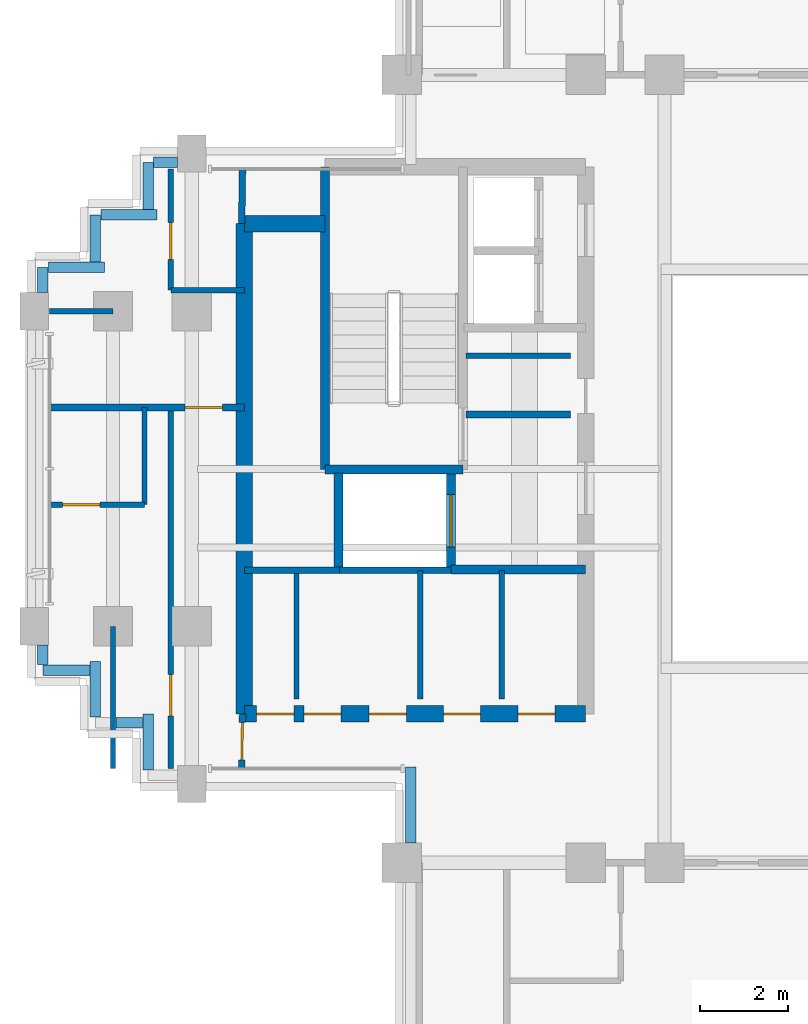
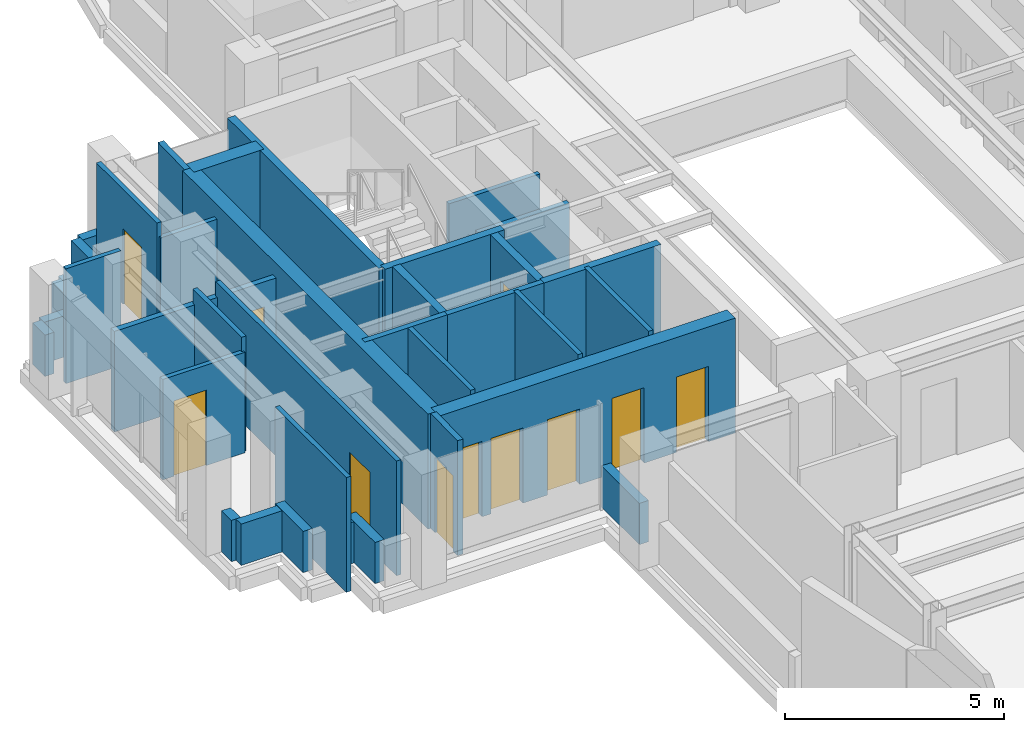
# One storey, part 6 of 12: 37 walls, 11 doors, 11 openings.
"""IFC4 building model written with IfcOpenShell, lengths in metres."""

from ifc_helpers import new_model, si_unit, direction, frame, frame_2d, origin, place, context, subcontext, project, spatial, rectangle, extrude, source, transform, mapped, material, layer, layer_set, type_object, element, fill, save


model = new_model("IFC4")

# Units and contexts
model_context = context("Model", 3, precision=1e-05, world=origin(), true_north=direction((0.0, 1.0)))
body_context = subcontext(model_context, "Body", "Model", "MODEL_VIEW")
ifc_project = project(units=[si_unit("LENGTHUNIT", "METRE"), si_unit("AREAUNIT", "SQUARE_METRE"), si_unit("VOLUMEUNIT", "CUBIC_METRE"), si_unit("PLANEANGLEUNIT", "RADIAN"), si_unit("MASSUNIT", "GRAM", prefix="KILO")], contexts=[model_context])

# Site, building, storey
site_placement = place(None, origin())
site = spatial("IfcSite", under=ifc_project, at=site_placement, CompositionType="ELEMENT")
building_placement = place(site_placement, origin())
building = spatial("IfcBuilding", under=site, at=building_placement, Name="Keilestroom Media Tower", CompositionType="ELEMENT")
storey_placement = place(building_placement, frame((0.0, 0.0, 184.199951171875)))
storey = spatial("IfcBuildingStorey", under=building, at=storey_placement, Name="L50", CompositionType="ELEMENT", Elevation=184.199951171875)

# Walls
ifc_material_1 = material(Name="Gypsum Plasterboard & Steel Stud", Category="steel")
ifc_layer_1 = layer(ifc_material_1, 0.1201171875)
ifc_layer_set_1 = layer_set([ifc_layer_1], Name="Gypsum Plasterboard & Steel Stud")
wall_type_1 = type_object("IfcWallType", Name="Interior-Partition-Wall-120", PredefinedType="PARTITIONING", material=ifc_layer_set_1)
wall_1_placement = place(storey_placement, frame((-8.139892578125, 2.580078125, 0.0), z_axis=(0.0, 0.0, 1.0), x_axis=(1.0, 0.0, 0.0)))
element("IfcWall", 1, at=wall_1_placement, inside=storey, type_object=wall_type_1, Name="L50 Interior Wall WP-L50-CNW-N", PredefinedType="PARTITIONING", context=body_context, shape_type="SweptSolid", body=[
    extrude(rectangle(XDim=2.389892578125, YDim=0.1201171875, at=frame_2d((1.19482421875, 0.0))), origin(), (0.0, 0.0, 1.0), 2.300048828125),
])
for number, where, z_axis, x_axis, name in (
    (2, (-12.010009765625, -5.260009765625, 0.0), (0.0, 0.0, 1.0), (0.0, 1.0, 0.0), "L50 Interior Wall WP-L50-RECLW-M"),
    (3, (-9.179931640625, -5.260009765625, 0.0), (0.0, 0.0, 1.0), (0.0, 1.0, 0.0), "L50 Interior Wall WP-L50-RECMW-M1"),
    (4, (-7.320068359375, -5.260009765625, 0.0), (0.0, 0.0, 1.0), (0.0, 1.0, 0.0), "L50 Interior Wall WP-L50-RECMW-M2"),
):
    element("IfcWall", number, at=place(storey_placement, frame(where, z_axis=z_axis, x_axis=x_axis)), inside=storey, type_object=wall_type_1, Name=name, PredefinedType="PARTITIONING", context=body_context, shape_type="SweptSolid", body=[
        extrude(rectangle(XDim=2.93994140625, YDim=0.1201171875, at=frame_2d((1.469970703125, 0.0))), origin(), (0.0, 0.0, 1.0), 3.199951171875),
    ])
wall_2_placement = place(storey_placement, frame((-16.199951171875, -6.85009765625, 0.0), z_axis=(0.0, 0.0, 1.0), x_axis=(0.0, 1.0, 0.0)))
element("IfcWall", 5, at=wall_2_placement, inside=storey, type_object=wall_type_1, Name="L50 Interior Wall WP-L50-HWW-C16", PredefinedType="PARTITIONING", context=body_context, shape_type="SweptSolid", body=[
    extrude(rectangle(XDim=3.25, YDim=0.1201171875, at=frame_2d((1.625, 0.0))), origin(), (0.0, 0.0, 1.0), 3.199951171875),
])
wall_3_placement = place(storey_placement, frame((-17.64990234375, 3.60009765625, 0.0), z_axis=(0.0, 0.0, 1.0), x_axis=(1.0, 0.0, 0.0)))
element("IfcWall", 6, at=wall_3_placement, inside=storey, type_object=wall_type_1, Name="L50 Interior Wall WP-L50-HWW-C36N", PredefinedType="PARTITIONING", context=body_context, shape_type="SweptSolid", body=[
    extrude(rectangle(XDim=1.449951171875, YDim=0.1201171875, at=frame_2d((0.72509765625, 0.0))), origin(), (0.0, 0.0, 1.0), 3.199951171875),
])

# Wall, opening, door
wall_4_placement = place(storey_placement, frame((-14.8798828125, -6.85009765625, 0.0), z_axis=(0.0, 0.0, 1.0), x_axis=(0.0, 1.0, 0.0)))
wall_4 = element("IfcWall", 7, at=wall_4_placement, inside=storey, type_object=wall_type_1, Name="L50 Interior Wall WP-L50-HWW-VW", PredefinedType="PARTITIONING", context=body_context, shape_type="SweptSolid", body=[
    extrude(rectangle(XDim=8.25, YDim=0.1201171875, at=frame_2d((4.125, 0.0))), origin(), (0.0, 0.0, 1.0), 3.199951171875),
])
opening_1_placement = place(wall_4_placement, frame((1.199951171875, 0.0, 0.0)))
opening_1 = element("IfcOpeningElement", 8, at=opening_1_placement, cuts=wall_4, Name="Opening DI-03", PredefinedType="OPENING", context=body_context, shape_type="SweptSolid", body=[
    extrude(rectangle(XDim=0.949951171875, YDim=2.14990234375, at=frame_2d((0.47509765625, 1.074951171875))), frame((0.0, 0.070068359375, 0.0), z_axis=(0.0, -1.0, 0.0), x_axis=(1.0, 0.0, 0.0)), (0.0, 0.0, 1.0), 0.14013671875),
])
ifc_material_2 = material(Name="Lacquered European Oak Leaf", Category="wood")
door_type_1 = type_object("IfcDoorType", Name="Interior-Room-And-Suite-Door-DI-03", OperationType="NOTDEFINED", PredefinedType="DOOR", material=ifc_material_2)
shared_shape_1 = source(origin(), body_context, "Body", "SweptSolid", [
    extrude(rectangle(XDim=0.949951171875, YDim=2.14990234375, at=frame_2d((0.47509765625, 1.074951171875))), frame((0.0, 0.02490234375, 0.0), z_axis=(0.0, -1.0, 0.0), x_axis=(1.0, 0.0, 0.0)), (0.0, 0.0, 1.0), 0.050048828125),
])
door_1_placement = place(opening_1_placement, origin())
door_1 = element("IfcDoor", 9, at=door_1_placement, inside=storey, type_object=door_type_1, Name="L50 Interior Door DI-L50-DHTL-WS", OperationType="SINGLE_SWING_RIGHT", OverallHeight=2.14990234375, OverallWidth=0.949951171875, PredefinedType="DOOR", context=body_context, shape_type="MappedRepresentation", body=[
    mapped(shared_shape_1, transform((0.0, 0.0, 0.0), x_axis=(1.0, 0.0, 0.0), y_axis=(0.0, 1.0, 0.0), z_axis=(0.0, 0.0, 1.0), scale=1.0)),
])
fill(opening_1, door_1)

wall_5_placement = place(storey_placement, frame((-17.64990234375, -0.820068359375, 0.0), z_axis=(0.0, 0.0, 1.0), x_axis=(1.0, 0.0, 0.0)))
wall_5 = element("IfcWall", 10, at=wall_5_placement, inside=storey, type_object=wall_type_1, Name="L50 Interior Wall WP-L50-ENSW-WSS", PredefinedType="PARTITIONING", context=body_context, shape_type="SweptSolid", body=[
    extrude(rectangle(XDim=2.169921875, YDim=0.1201171875, at=frame_2d((1.0849609375, 0.0))), origin(), (0.0, 0.0, 1.0), 2.800048828125),
])
opening_2_placement = place(wall_5_placement, frame((0.300048828125, 0.0, 0.0)))
opening_2 = element("IfcOpeningElement", 11, at=opening_2_placement, cuts=wall_5, Name="Opening DI-05", PredefinedType="OPENING", context=body_context, shape_type="SweptSolid", body=[
    extrude(rectangle(XDim=0.85009765625, YDim=2.10009765625, at=frame_2d((0.425048828125, 1.050048828125))), frame((0.0, 0.070068359375, 0.0), z_axis=(0.0, -1.0, 0.0), x_axis=(1.0, 0.0, 0.0)), (0.0, 0.0, 1.0), 0.14013671875),
])
ifc_material_3 = material(Name="Moisture-Resistant Oak Leaf", Category="wood")
door_type_2 = type_object("IfcDoorType", Name="Interior-En-Suite-And-Cupboard-Door-DI-05", OperationType="NOTDEFINED", PredefinedType="DOOR", material=ifc_material_3)
shared_shape_2 = source(origin(), body_context, "Body", "SweptSolid", [
    extrude(rectangle(XDim=0.85009765625, YDim=2.10009765625, at=frame_2d((0.425048828125, 1.050048828125))), frame((0.0, 0.02490234375, 0.0), z_axis=(0.0, -1.0, 0.0), x_axis=(1.0, 0.0, 0.0)), (0.0, 0.0, 1.0), 0.050048828125),
])
door_2_placement = place(opening_2_placement, origin())
door_2 = element("IfcDoor", 12, at=door_2_placement, inside=storey, type_object=door_type_2, Name="L50 Interior Door DI-L50-DENS-WS", OperationType="SINGLE_SWING_LEFT", OverallHeight=2.10009765625, OverallWidth=0.85009765625, PredefinedType="DOOR", context=body_context, shape_type="MappedRepresentation", body=[
    mapped(shared_shape_2, transform((0.0, 0.0, 0.0), x_axis=(1.0, 0.0, 0.0), y_axis=(0.0, 1.0, 0.0), z_axis=(0.0, 0.0, 1.0), scale=1.0)),
])
fill(opening_2, door_2)

# Wall
wall_6_placement = place(storey_placement, frame((-15.47998046875, -0.820068359375, 0.0), z_axis=(0.0, 0.0, 1.0), x_axis=(0.0, 1.0, 0.0)))
element("IfcWall", 13, at=wall_6_placement, inside=storey, type_object=wall_type_1, Name="L50 Interior Wall WP-L50-ENSW-WSE", PredefinedType="PARTITIONING", context=body_context, shape_type="SweptSolid", body=[
    extrude(rectangle(XDim=2.219970703125, YDim=0.1201171875, at=frame_2d((1.10986328125, 0.0))), origin(), (0.0, 0.0, 1.0), 3.199951171875),
])

# Wall, opening, door
wall_7_placement = place(storey_placement, frame((-14.8798828125, 4.080078125, 0.0), z_axis=(0.0, 0.0, 1.0), x_axis=(0.0, 1.0, 0.0)))
wall_7 = element("IfcWall", 14, at=wall_7_placement, inside=storey, type_object=wall_type_1, Name="L50 Interior Wall WP-L50-ENSW-WNW", PredefinedType="PARTITIONING", context=body_context, shape_type="SweptSolid", body=[
    extrude(rectangle(XDim=2.77001953125, YDim=0.1201171875, at=frame_2d((1.385009765625, 0.0))), origin(), (0.0, 0.0, 1.0), 3.199951171875),
])
opening_3_placement = place(wall_7_placement, frame((0.699951171875, 0.0, 0.0)))
opening_3 = element("IfcOpeningElement", 15, at=opening_3_placement, cuts=wall_7, Name="Opening DI-05", PredefinedType="OPENING", context=body_context, shape_type="SweptSolid", body=[
    extrude(rectangle(XDim=0.85009765625, YDim=2.10009765625, at=frame_2d((0.425048828125, 1.050048828125))), frame((0.0, 0.070068359375, 0.0), z_axis=(0.0, -1.0, 0.0), x_axis=(1.0, 0.0, 0.0)), (0.0, 0.0, 1.0), 0.14013671875),
])
door_3_placement = place(opening_3_placement, origin())
door_3 = element("IfcDoor", 16, at=door_3_placement, inside=storey, type_object=door_type_2, Name="L50 Interior Door DI-L50-DENS-WN", OperationType="SINGLE_SWING_LEFT", OverallHeight=2.10009765625, OverallWidth=0.85009765625, PredefinedType="DOOR", context=body_context, shape_type="MappedRepresentation", body=[
    mapped(shared_shape_2, transform((0.0, 0.0, 0.0), x_axis=(1.0, 0.0, 0.0), y_axis=(0.0, 1.0, 0.0), z_axis=(0.0, 0.0, 1.0), scale=1.0)),
])
fill(opening_3, door_3)

# Walls
wall_8_placement = place(storey_placement, frame((-14.8798828125, 4.080078125, 0.0), z_axis=(0.0, 0.0, 1.0), x_axis=(1.0, 0.0, 0.0)))
element("IfcWall", 17, at=wall_8_placement, inside=storey, type_object=wall_type_1, Name="L50 Interior Wall WP-L50-ENSW-WNS", PredefinedType="PARTITIONING", context=body_context, shape_type="SweptSolid", body=[
    extrude(rectangle(XDim=1.679931640625, YDim=0.1201171875, at=frame_2d((0.83984375, 0.0))), origin(), (0.0, 0.0, 1.0), 2.800048828125),
])
ifc_layer_2 = layer(ifc_material_1, 0.14990234375)
ifc_layer_set_2 = layer_set([ifc_layer_2], Name="Gypsum Plasterboard & Steel Stud")
wall_type_2 = type_object("IfcWallType", Name="Interior-Partition-Wall-150", PredefinedType="PARTITIONING", material=ifc_layer_set_2)
wall_9_placement = place(storey_placement, frame((-8.139892578125, 1.239990234375, 0.0), z_axis=(0.0, 0.0, 1.0), x_axis=(1.0, 0.0, 0.0)))
element("IfcWall", 18, at=wall_9_placement, inside=storey, type_object=wall_type_2, Name="L50 Interior Wall WP-L50-FFW-TOP", PredefinedType="PARTITIONING", context=body_context, shape_type="SweptSolid", body=[
    extrude(rectangle(XDim=2.389892578125, YDim=0.14990234375, at=frame_2d((1.19482421875, 0.0))), origin(), (0.0, 0.0, 1.0), 2.300048828125),
])
wall_10_placement = place(storey_placement, frame((-13.199951171875, -2.320068359375, 0.0), z_axis=(0.0, 0.0, 1.0), x_axis=(1.0, 0.0, 0.0)))
element("IfcWall", 19, at=wall_10_placement, inside=storey, type_object=wall_type_2, Name="L50 Interior Wall WP-L50-RECLW-N", PredefinedType="PARTITIONING", context=body_context, shape_type="SweptSolid", body=[
    extrude(rectangle(XDim=2.179931640625, YDim=0.14990234375, at=frame_2d((1.08984375, 0.0))), origin(), (0.0, 0.0, 1.0), 3.199951171875),
])
wall_11_placement = place(storey_placement, frame((-11.0400390625, -2.320068359375, 0.0), z_axis=(0.0, 0.0, 1.0), x_axis=(1.0, 0.0, 0.0)))
element("IfcWall", 20, at=wall_11_placement, inside=storey, type_object=wall_type_2, Name="L50 Interior Wall WP-L50-RECMW-N", PredefinedType="PARTITIONING", context=body_context, shape_type="SweptSolid", body=[
    extrude(rectangle(XDim=2.56005859375, YDim=0.14990234375, at=frame_2d((1.280029296875, 0.0))), origin(), (0.0, 0.0, 1.0), 3.199951171875),
])

# Wall, opening, door
wall_12_placement = place(storey_placement, frame((-13.260009765625, -6.85009765625, 0.0), z_axis=(0.0, 0.0, 1.0), x_axis=(0.016013571389, 0.999871774545, 0.0)))
wall_12 = element("IfcWall", 21, at=wall_12_placement, inside=storey, type_object=wall_type_2, Name="L50 Interior Wall WP-L50-HWW-ENTS", PredefinedType="PARTITIONING", context=body_context, shape_type="SweptSolid", body=[
    extrude(rectangle(XDim=1.250244140625, YDim=0.14990234375, at=frame_2d((0.625, 0.0))), origin(), (0.0, 0.0, 1.0), 3.199951171875),
])
opening_4_placement = place(wall_12_placement, frame((0.199951171875, 0.0, 0.0)))
opening_4 = element("IfcOpeningElement", 22, at=opening_4_placement, cuts=wall_12, Name="Opening DI-05", PredefinedType="OPENING", context=body_context, shape_type="SweptSolid", body=[
    extrude(rectangle(XDim=0.85009765625, YDim=2.10009765625, at=frame_2d((0.425048828125, 1.050048828125))), frame((0.0, 0.0849609375, 0.0), z_axis=(0.0, -1.0, 0.0), x_axis=(1.0, 0.0, 0.0)), (0.0, 0.0, 1.0), 0.169921875),
])
door_4_placement = place(opening_4_placement, origin())
door_4 = element("IfcDoor", 23, at=door_4_placement, inside=storey, type_object=door_type_2, Name="L50 Interior Door DI-L50-DHWW-ENTS", OperationType="SINGLE_SWING_RIGHT", OverallHeight=2.10009765625, OverallWidth=0.85009765625, PredefinedType="DOOR", context=body_context, shape_type="MappedRepresentation", body=[
    mapped(shared_shape_2, transform((0.0, 0.0, 0.0), x_axis=(1.0, 0.0, 0.0), y_axis=(0.0, 1.0, 0.0), z_axis=(0.0, 0.0, 1.0), scale=1.0)),
])
fill(opening_4, door_4)

# Wall
wall_13_placement = place(storey_placement, frame((-13.260009765625, 5.60009765625, 0.0), z_axis=(0.0, 0.0, 1.0), x_axis=(0.016013571389, 0.999871774545, 0.0)))
element("IfcWall", 24, at=wall_13_placement, inside=storey, type_object=wall_type_2, Name="L50 Interior Wall WP-L50-HWW-WNK", PredefinedType="PARTITIONING", context=body_context, shape_type="SweptSolid", body=[
    extrude(rectangle(XDim=1.250244140625, YDim=0.14990234375, at=frame_2d((0.625, 0.0))), origin(), (0.0, 0.0, 1.0), 3.199951171875),
])

# Wall, opening, door
wall_14_placement = place(storey_placement, frame((-17.64990234375, 1.39990234375, 0.0), z_axis=(0.0, 0.0, 1.0), x_axis=(1.0, 0.0, 0.0)))
wall_14 = element("IfcWall", 25, at=wall_14_placement, inside=storey, type_object=wall_type_2, Name="L50 Interior Wall WP-L50-HWW-MID", PredefinedType="PARTITIONING", context=body_context, shape_type="SweptSolid", body=[
    extrude(rectangle(XDim=4.449951171875, YDim=0.14990234375, at=frame_2d((2.22509765625, 0.0))), origin(), (0.0, 0.0, 1.0), 2.800048828125),
])
opening_5_placement = place(wall_14_placement, frame((3.10009765625, 0.0, 0.0)))
opening_5 = element("IfcOpeningElement", 26, at=opening_5_placement, cuts=wall_14, Name="Opening DI-05", PredefinedType="OPENING", context=body_context, shape_type="SweptSolid", body=[
    extrude(rectangle(XDim=0.85009765625, YDim=2.10009765625, at=frame_2d((0.425048828125, 1.050048828125))), frame((0.0, 0.0849609375, 0.0), z_axis=(0.0, -1.0, 0.0), x_axis=(1.0, 0.0, 0.0)), (0.0, 0.0, 1.0), 0.169921875),
])
door_5_placement = place(opening_5_placement, origin())
door_5 = element("IfcDoor", 27, at=door_5_placement, inside=storey, type_object=door_type_2, Name="L50 Interior Door DI-L50-DHTL-WN", OperationType="SINGLE_SWING_RIGHT", OverallHeight=2.10009765625, OverallWidth=0.85009765625, PredefinedType="DOOR", context=body_context, shape_type="MappedRepresentation", body=[
    mapped(shared_shape_2, transform((0.0, 0.0, 0.0), x_axis=(1.0, 0.0, 0.0), y_axis=(0.0, 1.0, 0.0), z_axis=(0.0, 0.0, 1.0), scale=1.0)),
])
fill(opening_5, door_5)

# Walls
ifc_material_4 = material(Name="Concrete C55/67", Category="concrete")
ifc_layer_3 = layer(ifc_material_4, 0.3798828125)
ifc_layer_set_3 = layer_set([ifc_layer_3], Name="Concrete C55/67")
wall_type_3 = type_object("IfcWallType", Name="Reinforced-Concrete-Core-Shear-Wall-380", PredefinedType="SHEAR", material=ifc_layer_set_3)
wall_15_placement = place(storey_placement, frame((-13.199951171875, -5.60009765625, 0.0), z_axis=(0.0, 0.0, 1.0), x_axis=(0.0, 1.0, 0.0)))
element("IfcWall", 28, at=wall_15_placement, inside=storey, type_object=wall_type_3, Name="L50 Core Shear Wall WL-L50-CORE-W-OUT", PredefinedType="SHEAR", context=body_context, shape_type="SweptSolid", body=[
    extrude(rectangle(XDim=11.2001953125, YDim=0.3798828125, at=frame_2d((5.60009765625, 0.0))), origin(), (0.0, 0.0, 1.0), 3.199951171875),
])
wall_16_placement = place(storey_placement, frame((-13.199951171875, 5.60009765625, 0.0), z_axis=(0.0, 0.0, 1.0), x_axis=(1.0, 0.0, 0.0)))
element("IfcWall", 29, at=wall_16_placement, inside=storey, type_object=wall_type_3, Name="L50 Core Shear Wall WL-L50-CNW-N", PredefinedType="SHEAR", context=body_context, shape_type="SweptSolid", body=[
    extrude(rectangle(XDim=1.843994140625, YDim=0.3798828125, at=frame_2d((0.921875, 0.0))), origin(), (0.0, 0.0, 1.0), 3.199951171875),
])

# Wall, openings, doors
wall_17_placement = place(storey_placement, frame((-13.199951171875, -5.60009765625, 0.0), z_axis=(0.0, 0.0, 1.0), x_axis=(1.0, 0.0, 0.0)))
wall_17 = element("IfcWall", 30, at=wall_17_placement, inside=storey, type_object=wall_type_3, Name="L50 Core Shear Wall WL-L50-CORE-W-S", PredefinedType="SHEAR", context=body_context, shape_type="SweptSolid", body=[
    extrude(rectangle(XDim=7.800048828125, YDim=0.3798828125, at=frame_2d((3.89990234375, 0.0))), origin(), (0.0, 0.0, 1.0), 3.199951171875),
])
opening_6_placement = place(wall_17_placement, frame((0.280029296875, 0.0, 0.0)))
opening_6 = element("IfcOpeningElement", 31, at=opening_6_placement, cuts=wall_17, Name="Opening DI-05", PredefinedType="OPENING", context=body_context, shape_type="SweptSolid", body=[
    extrude(rectangle(XDim=0.85009765625, YDim=2.10009765625, at=frame_2d((0.425048828125, 1.050048828125))), frame((0.0, 0.199951171875, 0.0), z_axis=(0.0, -1.0, 0.0), x_axis=(1.0, 0.0, 0.0)), (0.0, 0.0, 1.0), 0.39990234375),
])
opening_7_placement = place(wall_17_placement, frame((1.360107421875, 0.0, 0.0)))
opening_7 = element("IfcOpeningElement", 32, at=opening_7_placement, cuts=wall_17, Name="Opening DI-05", PredefinedType="OPENING", context=body_context, shape_type="SweptSolid", body=[
    extrude(rectangle(XDim=0.85009765625, YDim=2.10009765625, at=frame_2d((0.425048828125, 1.050048828125))), frame((0.0, 0.199951171875, 0.0), z_axis=(0.0, -1.0, 0.0), x_axis=(1.0, 0.0, 0.0)), (0.0, 0.0, 1.0), 0.39990234375),
])
opening_8_placement = place(wall_17_placement, frame((2.85009765625, 0.0, 0.0)))
opening_8 = element("IfcOpeningElement", 33, at=opening_8_placement, cuts=wall_17, Name="Opening DI-05", PredefinedType="OPENING", context=body_context, shape_type="SweptSolid", body=[
    extrude(rectangle(XDim=0.85009765625, YDim=2.10009765625, at=frame_2d((0.425048828125, 1.050048828125))), frame((0.0, 0.199951171875, 0.0), z_axis=(0.0, -1.0, 0.0), x_axis=(1.0, 0.0, 0.0)), (0.0, 0.0, 1.0), 0.39990234375),
])
opening_9_placement = place(wall_17_placement, frame((4.550048828125, 0.0, 0.0)))
opening_9 = element("IfcOpeningElement", 34, at=opening_9_placement, cuts=wall_17, Name="Opening DI-05", PredefinedType="OPENING", context=body_context, shape_type="SweptSolid", body=[
    extrude(rectangle(XDim=0.85009765625, YDim=2.10009765625, at=frame_2d((0.425048828125, 1.050048828125))), frame((0.0, 0.199951171875, 0.0), z_axis=(0.0, -1.0, 0.0), x_axis=(1.0, 0.0, 0.0)), (0.0, 0.0, 1.0), 0.39990234375),
])
opening_10_placement = place(wall_17_placement, frame((6.25, 0.0, 0.0)))
opening_10 = element("IfcOpeningElement", 35, at=opening_10_placement, cuts=wall_17, Name="Opening DI-05", PredefinedType="OPENING", context=body_context, shape_type="SweptSolid", body=[
    extrude(rectangle(XDim=0.85009765625, YDim=2.10009765625, at=frame_2d((0.425048828125, 1.050048828125))), frame((0.0, 0.199951171875, 0.0), z_axis=(0.0, -1.0, 0.0), x_axis=(1.0, 0.0, 0.0)), (0.0, 0.0, 1.0), 0.39990234375),
])
door_6_placement = place(opening_6_placement, origin())
door_6 = element("IfcDoor", 36, at=door_6_placement, inside=storey, type_object=door_type_2, Name="L50 Reclaimed West Closet 1 Door", OperationType="SINGLE_SWING_LEFT", OverallHeight=2.10009765625, OverallWidth=0.85009765625, PredefinedType="DOOR", context=body_context, shape_type="MappedRepresentation", body=[
    mapped(shared_shape_2, transform((0.0, 0.0, 0.0), x_axis=(1.0, 0.0, 0.0), y_axis=(0.0, 1.0, 0.0), z_axis=(0.0, 0.0, 1.0), scale=1.0)),
])
fill(opening_6, door_6)
door_7_placement = place(opening_7_placement, origin())
door_7 = element("IfcDoor", 37, at=door_7_placement, inside=storey, type_object=door_type_2, Name="L50 Reclaimed West Closet 2 Door", OperationType="SINGLE_SWING_RIGHT", OverallHeight=2.10009765625, OverallWidth=0.85009765625, PredefinedType="DOOR", context=body_context, shape_type="MappedRepresentation", body=[
    mapped(shared_shape_2, transform((0.0, 0.0, 0.0), x_axis=(1.0, 0.0, 0.0), y_axis=(0.0, 1.0, 0.0), z_axis=(0.0, 0.0, 1.0), scale=1.0)),
])
fill(opening_7, door_7)
door_8_placement = place(opening_8_placement, origin())
door_8 = element("IfcDoor", 38, at=door_8_placement, inside=storey, type_object=door_type_2, Name="L50 Reclaimed Mid West Room 1 Door", OperationType="SINGLE_SWING_LEFT", OverallHeight=2.10009765625, OverallWidth=0.85009765625, PredefinedType="DOOR", context=body_context, shape_type="MappedRepresentation", body=[
    mapped(shared_shape_2, transform((0.0, 0.0, 0.0), x_axis=(1.0, 0.0, 0.0), y_axis=(0.0, 1.0, 0.0), z_axis=(0.0, 0.0, 1.0), scale=1.0)),
])
fill(opening_8, door_8)
door_9_placement = place(opening_9_placement, origin())
door_9 = element("IfcDoor", 39, at=door_9_placement, inside=storey, type_object=door_type_2, Name="L50 Reclaimed Mid West Room 2 Door", OperationType="SINGLE_SWING_LEFT", OverallHeight=2.10009765625, OverallWidth=0.85009765625, PredefinedType="DOOR", context=body_context, shape_type="MappedRepresentation", body=[
    mapped(shared_shape_2, transform((0.0, 0.0, 0.0), x_axis=(1.0, 0.0, 0.0), y_axis=(0.0, 1.0, 0.0), z_axis=(0.0, 0.0, 1.0), scale=1.0)),
])
fill(opening_9, door_9)
door_10_placement = place(opening_10_placement, origin())
door_10 = element("IfcDoor", 40, at=door_10_placement, inside=storey, type_object=door_type_2, Name="L50 Reclaimed Mid West Room 3 Door", OperationType="SINGLE_SWING_RIGHT", OverallHeight=2.10009765625, OverallWidth=0.85009765625, PredefinedType="DOOR", context=body_context, shape_type="MappedRepresentation", body=[
    mapped(shared_shape_2, transform((0.0, 0.0, 0.0), x_axis=(1.0, 0.0, 0.0), y_axis=(0.0, 1.0, 0.0), z_axis=(0.0, 0.0, 1.0), scale=1.0)),
])
fill(opening_10, door_10)

# Walls
ifc_material_5 = material(Name="Concrete C50/60", Category="concrete")
ifc_layer_4 = layer(ifc_material_5, 0.199951171875)
ifc_layer_set_4 = layer_set([ifc_layer_4], Name="Concrete C50/60")
wall_type_4 = type_object("IfcWallType", Name="Reinforced-Concrete-Shaft-Wall-200", PredefinedType="SOLIDWALL", material=ifc_layer_set_4)
wall_18_placement = place(storey_placement, frame((-8.47998046875, -2.300048828125, 0.0), z_axis=(0.0, 0.0, 1.0), x_axis=(1.0, 0.0, 0.0)))
element("IfcWall", 41, at=wall_18_placement, inside=storey, type_object=wall_type_4, Name="L50 Core Shear Wall WL-L50-CORE-W-FFS", PredefinedType="SOLIDWALL", context=body_context, shape_type="SweptSolid", body=[
    extrude(rectangle(XDim=3.080078125, YDim=0.199951171875, at=frame_2d((1.5400390625, 0.0))), origin(), (0.0, 0.0, 1.0), 3.199951171875),
])
wall_19_placement = place(storey_placement, frame((-11.35595703125, -0.01611328125, 0.0), z_axis=(0.0, 0.0, 1.0), x_axis=(0.0, 1.0, 0.0)))
element("IfcWall", 42, at=wall_19_placement, inside=storey, type_object=wall_type_4, Name="L50 Core Shear Wall WL-L50-STW-W-FAR", PredefinedType="SOLIDWALL", context=body_context, shape_type="SweptSolid", body=[
    extrude(rectangle(XDim=6.916015625, YDim=0.199951171875, at=frame_2d((3.4580078125, 0.0))), origin(), (0.0, 0.0, 1.0), 3.199951171875),
])
wall_20_placement = place(storey_placement, frame((-11.35595703125, -0.01611328125, 0.0), z_axis=(0.0, 0.0, 1.0), x_axis=(1.0, 0.0, 0.0)))
element("IfcWall", 43, at=wall_20_placement, inside=storey, type_object=wall_type_4, Name="L50 Core Shear Wall WL-L50-STW-W-S", PredefinedType="SOLIDWALL", context=body_context, shape_type="SweptSolid", body=[
    extrude(rectangle(XDim=3.15185546875, YDim=0.199951171875, at=frame_2d((1.575927734375, 0.0))), origin(), (0.0, 0.0, 1.0), 3.199951171875),
])
wall_21_placement = place(storey_placement, frame((-11.050048828125, -2.280029296875, 0.0), z_axis=(0.0, 0.0, 1.0), x_axis=(0.0, 1.0, 0.0)))
element("IfcWall", 44, at=wall_21_placement, inside=storey, type_object=wall_type_4, Name="L50 Core Shear Wall WL-L50-LSH-FFL-1-W", PredefinedType="SOLIDWALL", context=body_context, shape_type="SweptSolid", body=[
    extrude(rectangle(XDim=2.179931640625, YDim=0.199951171875, at=frame_2d((1.08984375, 0.0))), origin(), (0.0, 0.0, 1.0), 3.199951171875),
])

# Wall, opening, door
wall_22_placement = place(storey_placement, frame((-8.47998046875, -2.280029296875, 0.0), z_axis=(0.0, 0.0, 1.0), x_axis=(0.0, 1.0, 0.0)))
wall_22 = element("IfcWall", 45, at=wall_22_placement, inside=storey, type_object=wall_type_4, Name="L50 Core Shear Wall WL-L50-LSH-FFL-1-E", PredefinedType="SOLIDWALL", context=body_context, shape_type="SweptSolid", body=[
    extrude(rectangle(XDim=2.179931640625, YDim=0.199951171875, at=frame_2d((1.08984375, 0.0))), origin(), (0.0, 0.0, 1.0), 3.199951171875),
])
opening_11_placement = place(wall_22_placement, frame((0.489990234375, 0.0, 0.0)))
opening_11 = element("IfcOpeningElement", 46, at=opening_11_placement, cuts=wall_22, Name="Opening LD-02", PredefinedType="OPENING", context=body_context, shape_type="SweptSolid", body=[
    extrude(rectangle(XDim=1.199951171875, YDim=2.199951171875, at=frame_2d((0.60009765625, 1.10009765625))), frame((0.0, 0.10986328125, 0.0), z_axis=(0.0, -1.0, 0.0), x_axis=(1.0, 0.0, 0.0)), (0.0, 0.0, 1.0), 0.219970703125),
])
ifc_material_6 = material(Name="Brushed Stainless Steel Sliding Leaf", Category="steel")
door_type_3 = type_object("IfcDoorType", Name="Lift-Landing-Sliding-Door-LD-02", OperationType="SLIDING_TO_RIGHT", PredefinedType="DOOR", material=ifc_material_6)
shared_shape_3 = source(origin(), body_context, "Body", "SweptSolid", [
    extrude(rectangle(XDim=1.199951171875, YDim=2.199951171875, at=frame_2d((0.60009765625, 1.10009765625))), frame((0.0, 0.02490234375, 0.0), z_axis=(0.0, -1.0, 0.0), x_axis=(1.0, 0.0, 0.0)), (0.0, 0.0, 1.0), 0.050048828125),
])
door_11_placement = place(opening_11_placement, origin())
door_11 = element("IfcDoor", 47, at=door_11_placement, inside=storey, type_object=door_type_3, Name="L50 Lift FFL-1 Landing Sliding Door", OperationType="SLIDING_TO_RIGHT", OverallHeight=2.199951171875, OverallWidth=1.199951171875, PredefinedType="DOOR", context=body_context, shape_type="MappedRepresentation", body=[
    mapped(shared_shape_3, transform((0.0, 0.0, 0.0), x_axis=(1.0, 0.0, 0.0), y_axis=(0.0, 1.0, 0.0), z_axis=(0.0, 0.0, 1.0), scale=1.0)),
])
fill(opening_11, door_11)

# Walls
ifc_material_7 = material(Name="Precast concrete C40/50", Category="concrete")
ifc_layer_5 = layer(ifc_material_7, 0.239990234375)
ifc_layer_set_5 = layer_set([ifc_layer_5], Name="Precast concrete C40/50")
wall_type_5 = type_object("IfcWallType", Name="Roof-And-Terrace-Parapet-Wall-240", PredefinedType="PARAPET", material=ifc_layer_set_5)
wall_23_placement = place(storey_placement, frame((-9.39990234375, -8.547119140625, 0.0), z_axis=(0.0, 0.0, 1.0), x_axis=(0.0, 1.0, 0.0)))
element("IfcWall", 48, at=wall_23_placement, inside=storey, type_object=wall_type_5, Name="L50 Perimeter Edge Parapet Wall 12", PredefinedType="PARAPET", context=body_context, shape_type="SweptSolid", body=[
    extrude(rectangle(XDim=1.728271484375, YDim=0.239990234375, at=frame_2d((0.8642578125, 0.0))), origin(), (0.0, 0.0, 1.0), 1.150146484375),
])
wall_24_placement = place(storey_placement, frame((-15.39990234375, -6.876953125, 0.0), z_axis=(0.0, 0.0, 1.0), x_axis=(0.0, 1.0, 0.0)))
element("IfcWall", 49, at=wall_24_placement, inside=storey, type_object=wall_type_5, Name="L50 Perimeter Edge Parapet Wall 14", PredefinedType="PARAPET", context=body_context, shape_type="SweptSolid", body=[
    extrude(rectangle(XDim=1.27685546875, YDim=0.239990234375, at=frame_2d((0.638427734375, 0.0))), origin(), (0.0, 0.0, 1.0), 1.150146484375),
])
wall_25_placement = place(storey_placement, frame((-15.52294921875, -5.800048828125, 0.0), z_axis=(0.0, 0.0, 1.0), x_axis=(-1.0, 0.0, 0.0)))
element("IfcWall", 50, at=wall_25_placement, inside=storey, type_object=wall_type_5, Name="L50 Perimeter Edge Parapet Wall 15", PredefinedType="PARAPET", context=body_context, shape_type="SweptSolid", body=[
    extrude(rectangle(XDim=0.614013671875, YDim=0.239990234375, at=frame_2d((0.30712890625, 0.0))), origin(), (0.0, 0.0, 1.0), 1.150146484375),
])
wall_26_placement = place(storey_placement, frame((-16.60009765625, -5.677001953125, 0.0), z_axis=(0.0, 0.0, 1.0), x_axis=(0.0, 1.0, 0.0)))
element("IfcWall", 51, at=wall_26_placement, inside=storey, type_object=wall_type_5, Name="L50 Perimeter Edge Parapet Wall 17", PredefinedType="PARAPET", context=body_context, shape_type="SweptSolid", body=[
    extrude(rectangle(XDim=1.277099609375, YDim=0.239990234375, at=frame_2d((0.638671875, 0.0))), origin(), (0.0, 0.0, 1.0), 1.150146484375),
])
wall_27_placement = place(storey_placement, frame((-16.722900390625, -4.60009765625, 0.0), z_axis=(0.0, 0.0, 1.0), x_axis=(-1.0, 0.0, 0.0)))
element("IfcWall", 52, at=wall_27_placement, inside=storey, type_object=wall_type_5, Name="L50 Perimeter Edge Parapet Wall 18", PredefinedType="PARAPET", context=body_context, shape_type="SweptSolid", body=[
    extrude(rectangle(XDim=1.0771484375, YDim=0.239990234375, at=frame_2d((0.53857421875, 0.0))), origin(), (0.0, 0.0, 1.0), 1.150146484375),
])
wall_28_placement = place(storey_placement, frame((-17.800048828125, -4.47705078125, 0.0), z_axis=(0.0, 0.0, 1.0), x_axis=(0.0, 1.0, 0.0)))
element("IfcWall", 53, at=wall_28_placement, inside=storey, type_object=wall_type_5, Name="L50 Perimeter Edge Parapet Wall 19", PredefinedType="PARAPET", context=body_context, shape_type="SweptSolid", body=[
    extrude(rectangle(XDim=0.448974609375, YDim=0.239990234375, at=frame_2d((0.224609375, 0.0))), origin(), (0.0, 0.0, 1.0), 1.150146484375),
])
wall_29_placement = place(storey_placement, frame((-17.800048828125, 4.028076171875, 0.0), z_axis=(0.0, 0.0, 1.0), x_axis=(0.0, 1.0, 0.0)))
element("IfcWall", 54, at=wall_29_placement, inside=storey, type_object=wall_type_5, Name="L50 Perimeter Edge Parapet Wall 20", PredefinedType="PARAPET", context=body_context, shape_type="SweptSolid", body=[
    extrude(rectangle(XDim=0.572021484375, YDim=0.239990234375, at=frame_2d((0.2861328125, 0.0))), origin(), (0.0, 0.0, 1.0), 1.150146484375),
])
wall_30_placement = place(storey_placement, frame((-17.677001953125, 4.60009765625, 0.0), z_axis=(0.0, 0.0, 1.0), x_axis=(1.0, 0.0, 0.0)))
element("IfcWall", 55, at=wall_30_placement, inside=storey, type_object=wall_type_5, Name="L50 Perimeter Edge Parapet Wall 21", PredefinedType="PARAPET", context=body_context, shape_type="SweptSolid", body=[
    extrude(rectangle(XDim=1.277099609375, YDim=0.239990234375, at=frame_2d((0.638671875, 0.0))), origin(), (0.0, 0.0, 1.0), 1.150146484375),
])
wall_31_placement = place(storey_placement, frame((-16.60009765625, 4.722900390625, 0.0), z_axis=(0.0, 0.0, 1.0), x_axis=(0.0, 1.0, 0.0)))
element("IfcWall", 56, at=wall_31_placement, inside=storey, type_object=wall_type_5, Name="L50 Perimeter Edge Parapet Wall 22", PredefinedType="PARAPET", context=body_context, shape_type="SweptSolid", body=[
    extrude(rectangle(XDim=1.0771484375, YDim=0.239990234375, at=frame_2d((0.53857421875, 0.0))), origin(), (0.0, 0.0, 1.0), 1.150146484375),
])
wall_32_placement = place(storey_placement, frame((-16.47705078125, 5.800048828125, 0.0), z_axis=(0.0, 0.0, 1.0), x_axis=(1.0, 0.0, 0.0)))
element("IfcWall", 57, at=wall_32_placement, inside=storey, type_object=wall_type_5, Name="L50 Perimeter Edge Parapet Wall 23", PredefinedType="PARAPET", context=body_context, shape_type="SweptSolid", body=[
    extrude(rectangle(XDim=1.277099609375, YDim=0.239990234375, at=frame_2d((0.638671875, 0.0))), origin(), (0.0, 0.0, 1.0), 1.150146484375),
])
wall_33_placement = place(storey_placement, frame((-15.39990234375, 5.923095703125, 0.0), z_axis=(0.0, 0.0, 1.0), x_axis=(0.0, 1.0, 0.0)))
element("IfcWall", 58, at=wall_33_placement, inside=storey, type_object=wall_type_5, Name="L50 Perimeter Edge Parapet Wall 24", PredefinedType="PARAPET", context=body_context, shape_type="SweptSolid", body=[
    extrude(rectangle(XDim=1.076904296875, YDim=0.239990234375, at=frame_2d((0.53857421875, 0.0))), origin(), (0.0, 0.0, 1.0), 1.150146484375),
])
wall_34_placement = place(storey_placement, frame((-15.277099609375, 7.0, 0.0), z_axis=(0.0, 0.0, 1.0), x_axis=(1.0, 0.0, 0.0)))
element("IfcWall", 59, at=wall_34_placement, inside=storey, type_object=wall_type_5, Name="L50 Perimeter Edge Parapet Wall 25", PredefinedType="PARAPET", context=body_context, shape_type="SweptSolid", body=[
    extrude(rectangle(XDim=0.549072265625, YDim=0.239990234375, at=frame_2d((0.2744140625, 0.0))), origin(), (0.0, 0.0, 1.0), 1.150146484375),
])

save(model, "model.ifc")
